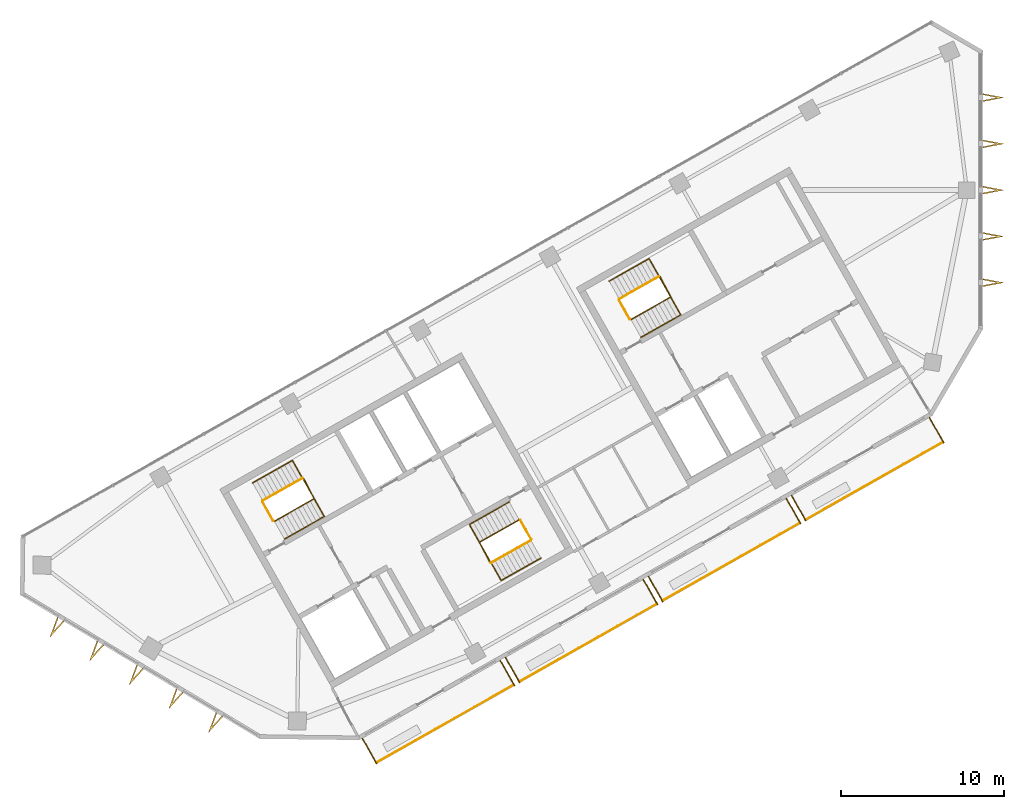
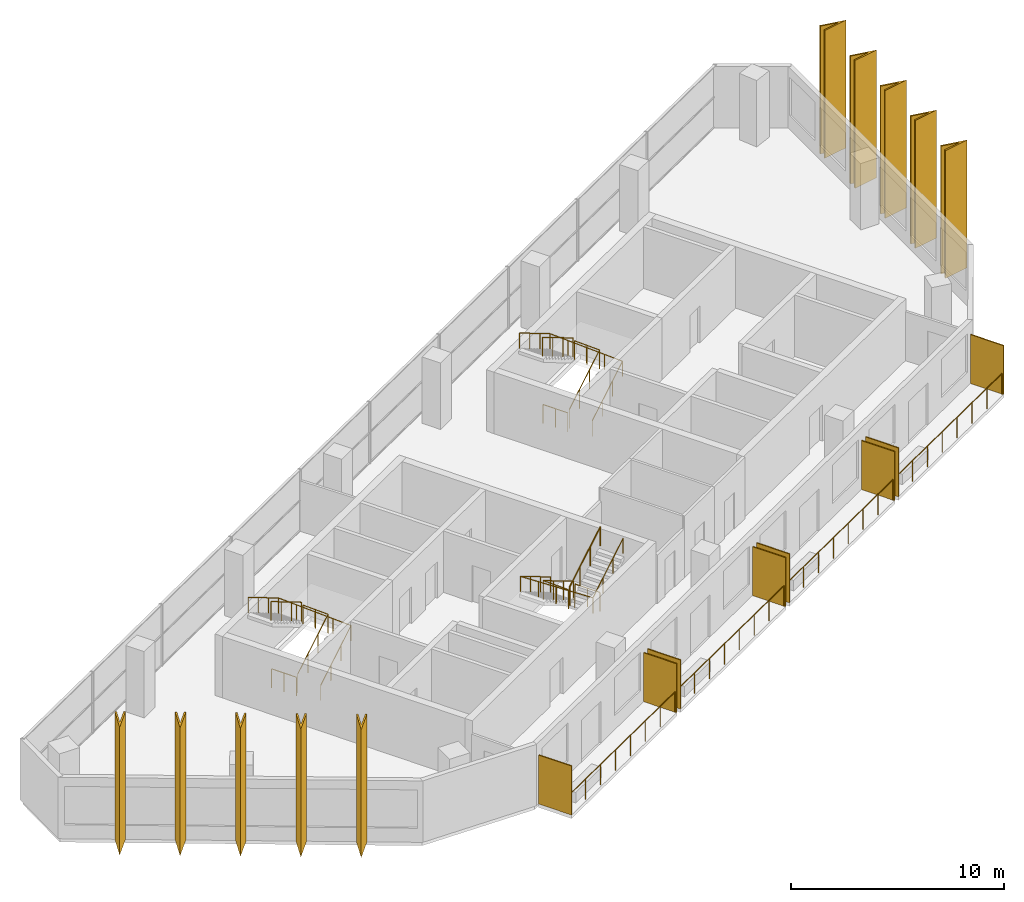
# One storey, part 9 of 10: 18 shading devices, 16 railings.
"""IFC4 building model written with IfcOpenShell, lengths in metres."""

from ifc_helpers import new_model, si_unit, direction, frame, origin, origin_2d, place, context, subcontext, project, spatial, polyline, rectangle, circle, outline, extrude, material, layer, layer_set, type_object, element, save


model = new_model("IFC4")

# Units and contexts
model_context = context("Model", 3, precision=1e-05, world=origin(), true_north=direction((0.0, 1.0)))
body_context = subcontext(model_context, "Body", "Model", "MODEL_VIEW")
ifc_project = project(units=[si_unit("LENGTHUNIT", "METRE"), si_unit("AREAUNIT", "SQUARE_METRE"), si_unit("VOLUMEUNIT", "CUBIC_METRE"), si_unit("PLANEANGLEUNIT", "RADIAN"), si_unit("MASSUNIT", "GRAM", prefix="KILO")], contexts=[model_context])

# Site, building, storey
site_placement = place(None, origin())
site = spatial("IfcSite", under=ifc_project, at=site_placement, CompositionType="ELEMENT")
building_placement = place(site_placement, origin())
building = spatial("IfcBuilding", under=site, at=building_placement, Name="Binnacle Exchange Tower", CompositionType="ELEMENT")
storey_placement = place(building_placement, frame((0.0, 0.0, 331.699951171875)))
storey = spatial("IfcBuildingStorey", under=building, at=storey_placement, Name="L75", CompositionType="ELEMENT", Elevation=331.699951171875)

# Railings
ifc_material_1 = material(Name="Bronze anodised aluminium frame", Category="aluminium")
railing_type_1 = type_object("IfcRailingType", Name="GUARD 1200", PredefinedType="GUARDRAIL", material=ifc_material_1)
for number, where, name in (
    (1, (-37.006591796875, 24.94287109375, 0.0), "Balcony guard H07-B00 L75"),
    (2, (-28.24365234375, 29.900634765625, 0.0), "Balcony guard H07-B01 L75"),
):
    element("IfcRailing", number, at=place(storey_placement, frame(where)), inside=storey, type_object=railing_type_1, Name=name, PredefinedType="GUARDRAIL", context=body_context, shape_type="SweptSolid", body=[
        extrude(circle(Radius=0.02392578125, at=origin_2d()), frame((0.0, 0.0, 1.17578125), z_axis=(0.870359171481, 0.492417417055, 0.0), x_axis=(-0.492417417055, 0.870359171481, 0.0)), (0.0, 0.0, 1.0), 9.648193359375),
        extrude(circle(Radius=0.02099609375, at=origin_2d()), origin(), (0.0, 0.0, 1.0), 1.15185546875),
        extrude(circle(Radius=0.02099609375, at=origin_2d()), frame((1.19970703125, 0.6787109375, 0.0)), (0.0, 0.0, 1.0), 1.15185546875),
        extrude(circle(Radius=0.02099609375, at=origin_2d()), frame((2.399169921875, 1.357421875, 0.0)), (0.0, 0.0, 1.0), 1.15185546875),
        extrude(circle(Radius=0.02099609375, at=origin_2d()), frame((3.598876953125, 2.0361328125, 0.0)), (0.0, 0.0, 1.0), 1.15185546875),
        extrude(circle(Radius=0.02099609375, at=origin_2d()), frame((4.798583984375, 2.71484375, 0.0)), (0.0, 0.0, 1.0), 1.15185546875),
        extrude(circle(Radius=0.02099609375, at=origin_2d()), frame((5.998291015625, 3.3935546875, 0.0)), (0.0, 0.0, 1.0), 1.15185546875),
        extrude(circle(Radius=0.02099609375, at=origin_2d()), frame((7.19775390625, 4.072265625, 0.0)), (0.0, 0.0, 1.0), 1.15185546875),
        extrude(circle(Radius=0.02099609375, at=origin_2d()), frame((8.3974609375, 4.7509765625, 0.0)), (0.0, 0.0, 1.0), 1.15185546875),
    ])
railing_1_placement = place(storey_placement, frame((-19.480712890625, 34.8583984375, 0.0)))
element("IfcRailing", 3, at=railing_1_placement, inside=storey, type_object=railing_type_1, Name="Balcony guard H07-B02 L75", PredefinedType="GUARDRAIL", context=body_context, shape_type="SweptSolid", body=[
    extrude(circle(Radius=0.02392578125, at=origin_2d()), frame((0.0, 0.0, 1.17578125), z_axis=(0.870342190373, 0.492447430349, 0.0), x_axis=(-0.492447430349, 0.870342190373, 0.0)), (0.0, 0.0, 1.0), 9.648193359375),
    extrude(circle(Radius=0.02099609375, at=origin_2d()), origin(), (0.0, 0.0, 1.0), 1.15185546875),
    extrude(circle(Radius=0.02099609375, at=origin_2d()), frame((1.19970703125, 0.6787109375, 0.0)), (0.0, 0.0, 1.0), 1.15185546875),
    extrude(circle(Radius=0.02099609375, at=origin_2d()), frame((2.399169921875, 1.357421875, 0.0)), (0.0, 0.0, 1.0), 1.15185546875),
    extrude(circle(Radius=0.02099609375, at=origin_2d()), frame((3.598876953125, 2.0361328125, 0.0)), (0.0, 0.0, 1.0), 1.15185546875),
    extrude(circle(Radius=0.02099609375, at=origin_2d()), frame((4.79833984375, 2.715087890625, 0.0)), (0.0, 0.0, 1.0), 1.15185546875),
    extrude(circle(Radius=0.02099609375, at=origin_2d()), frame((5.998046875, 3.393798828125, 0.0)), (0.0, 0.0, 1.0), 1.15185546875),
    extrude(circle(Radius=0.02099609375, at=origin_2d()), frame((7.197509765625, 4.072509765625, 0.0)), (0.0, 0.0, 1.0), 1.15185546875),
    extrude(circle(Radius=0.02099609375, at=origin_2d()), frame((8.397216796875, 4.751220703125, 0.0)), (0.0, 0.0, 1.0), 1.15185546875),
])
railing_2_placement = place(storey_placement, frame((-10.7177734375, 39.81640625, 0.0)))
element("IfcRailing", 4, at=railing_2_placement, inside=storey, type_object=railing_type_1, Name="Balcony guard H07-B03 L75", PredefinedType="GUARDRAIL", context=body_context, shape_type="SweptSolid", body=[
    extrude(circle(Radius=0.02392578125, at=origin_2d()), frame((0.0, 0.0, 1.17578125), z_axis=(0.870353035673, 0.492428262079, 0.0), x_axis=(-0.492428262079, 0.870353035673, 0.0)), (0.0, 0.0, 1.0), 9.64794921875),
    extrude(circle(Radius=0.02099609375, at=origin_2d()), origin(), (0.0, 0.0, 1.0), 1.15185546875),
    extrude(circle(Radius=0.02099609375, at=origin_2d()), frame((1.19970703125, 0.6787109375, 0.0)), (0.0, 0.0, 1.0), 1.15185546875),
    extrude(circle(Radius=0.02099609375, at=origin_2d()), frame((2.399169921875, 1.357421875, 0.0)), (0.0, 0.0, 1.0), 1.15185546875),
    extrude(circle(Radius=0.02099609375, at=origin_2d()), frame((3.598876953125, 2.0361328125, 0.0)), (0.0, 0.0, 1.0), 1.15185546875),
    extrude(circle(Radius=0.02099609375, at=origin_2d()), frame((4.79833984375, 2.71484375, 0.0)), (0.0, 0.0, 1.0), 1.15185546875),
    extrude(circle(Radius=0.02099609375, at=origin_2d()), frame((5.998046875, 3.3935546875, 0.0)), (0.0, 0.0, 1.0), 1.15185546875),
    extrude(circle(Radius=0.02099609375, at=origin_2d()), frame((7.197509765625, 4.072265625, 0.0)), (0.0, 0.0, 1.0), 1.15185546875),
    extrude(circle(Radius=0.02099609375, at=origin_2d()), frame((8.397216796875, 4.7509765625, 0.0)), (0.0, 0.0, 1.0), 1.15185546875),
])

# Shading devices
ifc_material_2 = material(Name="Bronze aluminium louvre", Category="aluminium")
ifc_layer = layer(ifc_material_2, 0.06005859375)
ifc_layer_set = layer_set([ifc_layer], Name="PLANTED SCREEN 60x2800")
shading_device_type_1 = type_object("IfcShadingDeviceType", Name="PLANTED SCREEN 60x2800", PredefinedType="USERDEFINED", material=ifc_layer_set)
for number, where, z_axis, x_axis, name in (
    (5, (-37.436279296875, 25.641845703125, 0.0), (0.0, 0.0, 1.0), (0.87035569594, 0.492423560103, 0.0), "Planted screen H07-B00a L75"),
    (6, (-28.98681640625, 30.42236328125, 0.0), (0.0, 0.0, 1.0), (0.87035569594, 0.492423560103, 0.0), "Planted screen H07-B00b L75"),
    (7, (-28.673583984375, 30.599609375, 0.0), (0.0, 0.0, 1.0), (0.87035569594, 0.492423560103, 0.0), "Planted screen H07-B01a L75"),
    (8, (-20.223876953125, 35.380126953125, 0.0), (0.0, 0.0, 1.0), (0.87035569594, 0.492423560103, 0.0), "Planted screen H07-B01b L75"),
    (9, (-19.91064453125, 35.5576171875, 0.0), (0.0, 0.0, 1.0), (0.87035569594, 0.492423560103, 0.0), "Planted screen H07-B02a L75"),
    (10, (-11.461181640625, 40.337890625, 0.0), (0.0, 0.0, 1.0), (0.87035569594, 0.492423560103, 0.0), "Planted screen H07-B02b L75"),
    (11, (-11.147705078125, 40.51513671875, 0.0), (0.0, 0.0, 1.0), (0.87035569594, 0.492423560103, 0.0), "Planted screen H07-B03a L75"),
    (12, (-2.697998046875, 45.2958984375, 0.0), (0.0, 0.0, 1.0), (0.87035569594, 0.492423560103, 0.0), "Planted screen H07-B03b L75"),
):
    element("IfcShadingDevice", number, at=place(storey_placement, frame(where, z_axis=z_axis, x_axis=x_axis)), inside=storey, type_object=shading_device_type_1, Name=name, ObjectType="SCREEN", PredefinedType="USERDEFINED", context=body_context, shape_type="SweptSolid", body=[
        extrude(rectangle(XDim=0.06005859375, YDim=1.800048828125, at=origin_2d()), origin(), (0.0, 0.0, 1.0), 2.800048828125),
    ])

# Railings
ifc_material_3 = material(Name="Steel guard rail", Category="steel")
railing_type_2 = type_object("IfcRailingType", Name="STAIR GUARD 1100", PredefinedType="GUARDRAIL", material=ifc_material_3)
railing_3_placement = place(storey_placement, frame((-43.26171875, 39.71728515625, 0.1728515625)))
element("IfcRailing", 13, at=railing_3_placement, inside=storey, type_object=railing_type_2, Name="L75 STA1 stair guard 1", PredefinedType="GUARDRAIL", context=body_context, shape_type="SweptSolid", body=[
    extrude(circle(Radius=0.02392578125, at=origin_2d()), frame((0.0, 0.0, 1.076171875), z_axis=(0.740737961854, 0.419123222656, 0.525017138862), x_axis=(-0.492453686477, 0.870338650569, 0.0)), (0.0, 0.0, 1.0), 3.2900390625),
    extrude(circle(Radius=0.02392578125, at=origin_2d()), frame((2.43701171875, 1.37890625, 2.80322265625), z_axis=(-0.461100321709, 0.887348011391, 0.0), x_axis=(-0.887348011391, -0.461100321709, 0.0)), (0.0, 0.0, 1.0), 1.40087890625),
    extrude(circle(Radius=0.02099609375, at=origin_2d()), origin(), (0.0, 0.0, 1.0), 1.052001953125),
    extrude(circle(Radius=0.02099609375, at=origin_2d()), frame((0.812255859375, 0.459716796875, 0.57568359375)), (0.0, 0.0, 1.0), 1.052001953125),
    extrude(circle(Radius=0.02099609375, at=origin_2d()), frame((1.624755859375, 0.919189453125, 1.151611328125)), (0.0, 0.0, 1.0), 1.052001953125),
    extrude(circle(Radius=0.02099609375, at=origin_2d()), frame((2.43701171875, 1.37890625, 1.727294921875)), (0.0, 0.0, 1.0), 1.052001953125),
    extrude(circle(Radius=0.02099609375, at=origin_2d()), frame((2.114013671875, 2.00048828125, 1.727294921875)), (0.0, 0.0, 1.0), 1.052001953125),
    extrude(circle(Radius=0.02099609375, at=origin_2d()), frame((1.791015625, 2.6220703125, 1.727294921875)), (0.0, 0.0, 1.0), 1.052001953125),
])
railing_4_placement = place(storey_placement, frame((-41.538818359375, 42.358154296875, 2.07275390625)))
element("IfcRailing", 14, at=railing_4_placement, inside=storey, type_object=railing_type_2, Name="L75 STA1 stair guard 2", PredefinedType="GUARDRAIL", context=body_context, shape_type="SweptSolid", body=[
    extrude(circle(Radius=0.02392578125, at=origin_2d()), frame((0.0, 0.0, 1.076171875), z_axis=(-0.740737961854, -0.419123222656, 0.525017138862), x_axis=(0.492453686477, -0.870338650569, 0.0)), (0.0, 0.0, 1.0), 3.2900390625),
    extrude(circle(Radius=0.02099609375, at=origin_2d()), origin(), (0.0, 0.0, 1.0), 1.052001953125),
    extrude(circle(Radius=0.02099609375, at=origin_2d()), frame((-0.812255859375, -0.459716796875, 0.57568359375)), (0.0, 0.0, 1.0), 1.052001953125),
    extrude(circle(Radius=0.02099609375, at=origin_2d()), frame((-1.624755859375, -0.919189453125, 1.151611328125)), (0.0, 0.0, 1.0), 1.052001953125),
    extrude(circle(Radius=0.02099609375, at=origin_2d()), frame((-2.43701171875, -1.37890625, 1.727294921875)), (0.0, 0.0, 1.0), 1.052001953125),
])
railing_5_placement = place(storey_placement, frame((-43.329833984375, 39.736328125, 0.0)))
element("IfcRailing", 15, at=railing_5_placement, inside=storey, type_object=railing_type_2, Name="L75 STA1 stair guard 3", PredefinedType="GUARDRAIL", context=body_context, shape_type="SweptSolid", body=[
    extrude(circle(Radius=0.02392578125, at=origin_2d()), frame((0.0, 0.0, 1.076171875), z_axis=(-0.4924922531, 0.870316827734, 0.0), x_axis=(-0.870316827734, -0.4924922531, 0.0)), (0.0, 0.0, 1.0), 1.349853515625),
    extrude(circle(Radius=0.02099609375, at=origin_2d()), origin(), (0.0, 0.0, 1.0), 1.052001953125),
    extrude(circle(Radius=0.02099609375, at=origin_2d()), frame((-0.33251953125, 0.58740234375, 0.0)), (0.0, 0.0, 1.0), 1.052001953125),
    extrude(circle(Radius=0.02099609375, at=origin_2d()), frame((-0.664794921875, 1.1748046875, 0.0)), (0.0, 0.0, 1.0), 1.052001953125),
])
railing_6_placement = place(storey_placement, frame((-28.265380859375, 39.814453125, 0.1728515625)))
element("IfcRailing", 16, at=railing_6_placement, inside=storey, type_object=railing_type_2, Name="L75 STA2 stair guard 1", PredefinedType="GUARDRAIL", context=body_context, shape_type="SweptSolid", body=[
    extrude(circle(Radius=0.02392578125, at=origin_2d()), frame((0.0, 0.0, 1.076171875), z_axis=(-0.740760999345, -0.419062048017, 0.525033467278), x_axis=(0.492387636113, -0.870376019777, 0.0)), (0.0, 0.0, 1.0), 3.289794921875),
    extrude(circle(Radius=0.02392578125, at=origin_2d()), frame((-2.43701171875, -1.378662109375, 2.80322265625), z_axis=(0.460963092712, -0.887419307406, 0.0), x_axis=(0.887419307406, 0.460963092712, 0.0)), (0.0, 0.0, 1.0), 1.40087890625),
    extrude(circle(Radius=0.02099609375, at=origin_2d()), origin(), (0.0, 0.0, 1.0), 1.052001953125),
    extrude(circle(Radius=0.02099609375, at=origin_2d()), frame((-0.812255859375, -0.45947265625, 0.57568359375)), (0.0, 0.0, 1.0), 1.052001953125),
    extrude(circle(Radius=0.02099609375, at=origin_2d()), frame((-1.624755859375, -0.919189453125, 1.151611328125)), (0.0, 0.0, 1.0), 1.052001953125),
    extrude(circle(Radius=0.02099609375, at=origin_2d()), frame((-2.43701171875, -1.378662109375, 1.727294921875)), (0.0, 0.0, 1.0), 1.052001953125),
    extrude(circle(Radius=0.02099609375, at=origin_2d()), frame((-2.1142578125, -2.000244140625, 1.727294921875)), (0.0, 0.0, 1.0), 1.052001953125),
    extrude(circle(Radius=0.02099609375, at=origin_2d()), frame((-1.791259765625, -2.621826171875, 1.727294921875)), (0.0, 0.0, 1.0), 1.052001953125),
])
railing_7_placement = place(storey_placement, frame((-29.988525390625, 37.173583984375, 2.07275390625)))
element("IfcRailing", 17, at=railing_7_placement, inside=storey, type_object=railing_type_2, Name="L75 STA2 stair guard 2", PredefinedType="GUARDRAIL", context=body_context, shape_type="SweptSolid", body=[
    extrude(circle(Radius=0.02392578125, at=origin_2d()), frame((0.0, 0.0, 1.076171875), z_axis=(0.740737961854, 0.419123222656, 0.525017138862), x_axis=(-0.492453686477, 0.870338650569, 0.0)), (0.0, 0.0, 1.0), 3.2900390625),
    extrude(circle(Radius=0.02099609375, at=origin_2d()), origin(), (0.0, 0.0, 1.0), 1.052001953125),
    extrude(circle(Radius=0.02099609375, at=origin_2d()), frame((0.812255859375, 0.459716796875, 0.57568359375)), (0.0, 0.0, 1.0), 1.052001953125),
    extrude(circle(Radius=0.02099609375, at=origin_2d()), frame((1.624755859375, 0.919189453125, 1.151611328125)), (0.0, 0.0, 1.0), 1.052001953125),
    extrude(circle(Radius=0.02099609375, at=origin_2d()), frame((2.43701171875, 1.37890625, 1.727294921875)), (0.0, 0.0, 1.0), 1.052001953125),
])
railing_8_placement = place(storey_placement, frame((-28.197265625, 39.795654296875, 0.0)))
element("IfcRailing", 18, at=railing_8_placement, inside=storey, type_object=railing_type_2, Name="L75 STA2 stair guard 3", PredefinedType="GUARDRAIL", context=body_context, shape_type="SweptSolid", body=[
    extrude(circle(Radius=0.02392578125, at=origin_2d()), frame((0.0, 0.0, 1.076171875), z_axis=(0.49241474071, -0.870360685654, 0.0), x_axis=(0.870360685654, 0.49241474071, 0.0)), (0.0, 0.0, 1.0), 1.35009765625),
    extrude(circle(Radius=0.02099609375, at=origin_2d()), origin(), (0.0, 0.0, 1.0), 1.052001953125),
    extrude(circle(Radius=0.02099609375, at=origin_2d()), frame((0.33251953125, -0.58740234375, 0.0)), (0.0, 0.0, 1.0), 1.052001953125),
    extrude(circle(Radius=0.02099609375, at=origin_2d()), frame((0.664794921875, -1.175048828125, 0.0)), (0.0, 0.0, 1.0), 1.052001953125),
])
railing_9_placement = place(storey_placement, frame((-21.423828125, 52.07275390625, 0.1728515625)))
element("IfcRailing", 19, at=railing_9_placement, inside=storey, type_object=railing_type_2, Name="L75 STC1 stair guard 1", PredefinedType="GUARDRAIL", context=body_context, shape_type="SweptSolid", body=[
    extrude(circle(Radius=0.02392578125, at=origin_2d()), frame((0.0, 0.0, 1.076171875), z_axis=(0.740760999345, 0.419062048017, 0.525033467278), x_axis=(-0.492387636113, 0.870376019777, 0.0)), (0.0, 0.0, 1.0), 3.289794921875),
    extrude(circle(Radius=0.02392578125, at=origin_2d()), frame((2.43701171875, 1.378662109375, 2.80322265625), z_axis=(-0.460963092712, 0.887419307406, 0.0), x_axis=(-0.887419307406, -0.460963092712, 0.0)), (0.0, 0.0, 1.0), 1.40087890625),
    extrude(circle(Radius=0.02099609375, at=origin_2d()), origin(), (0.0, 0.0, 1.0), 1.052001953125),
    extrude(circle(Radius=0.02099609375, at=origin_2d()), frame((0.812255859375, 0.45947265625, 0.57568359375)), (0.0, 0.0, 1.0), 1.052001953125),
    extrude(circle(Radius=0.02099609375, at=origin_2d()), frame((1.624755859375, 0.919189453125, 1.151611328125)), (0.0, 0.0, 1.0), 1.052001953125),
    extrude(circle(Radius=0.02099609375, at=origin_2d()), frame((2.43701171875, 1.378662109375, 1.727294921875)), (0.0, 0.0, 1.0), 1.052001953125),
    extrude(circle(Radius=0.02099609375, at=origin_2d()), frame((2.1142578125, 2.000244140625, 1.727294921875)), (0.0, 0.0, 1.0), 1.052001953125),
    extrude(circle(Radius=0.02099609375, at=origin_2d()), frame((1.791259765625, 2.621826171875, 1.727294921875)), (0.0, 0.0, 1.0), 1.052001953125),
])
railing_10_placement = place(storey_placement, frame((-19.70068359375, 54.71337890625, 2.07275390625)))
element("IfcRailing", 20, at=railing_10_placement, inside=storey, type_object=railing_type_2, Name="L75 STC1 stair guard 2", PredefinedType="GUARDRAIL", context=body_context, shape_type="SweptSolid", body=[
    extrude(circle(Radius=0.02392578125, at=origin_2d()), frame((0.0, 0.0, 1.076171875), z_axis=(-0.740760999345, -0.419062048017, 0.525033467278), x_axis=(0.492387636113, -0.870376019777, 0.0)), (0.0, 0.0, 1.0), 3.289794921875),
    extrude(circle(Radius=0.02099609375, at=origin_2d()), origin(), (0.0, 0.0, 1.0), 1.052001953125),
    extrude(circle(Radius=0.02099609375, at=origin_2d()), frame((-0.812255859375, -0.45947265625, 0.57568359375)), (0.0, 0.0, 1.0), 1.052001953125),
    extrude(circle(Radius=0.02099609375, at=origin_2d()), frame((-1.624755859375, -0.919189453125, 1.151611328125)), (0.0, 0.0, 1.0), 1.052001953125),
    extrude(circle(Radius=0.02099609375, at=origin_2d()), frame((-2.43701171875, -1.378662109375, 1.727294921875)), (0.0, 0.0, 1.0), 1.052001953125),
])
railing_11_placement = place(storey_placement, frame((-21.491943359375, 52.091552734375, 0.0)))
element("IfcRailing", 21, at=railing_11_placement, inside=storey, type_object=railing_type_2, Name="L75 STC1 stair guard 3", PredefinedType="GUARDRAIL", context=body_context, shape_type="SweptSolid", body=[
    extrude(circle(Radius=0.02392578125, at=origin_2d()), frame((0.0, 0.0, 1.076171875), z_axis=(-0.49241474071, 0.870360685654, 0.0), x_axis=(-0.870360685654, -0.49241474071, 0.0)), (0.0, 0.0, 1.0), 1.35009765625),
    extrude(circle(Radius=0.02099609375, at=origin_2d()), origin(), (0.0, 0.0, 1.0), 1.052001953125),
    extrude(circle(Radius=0.02099609375, at=origin_2d()), frame((-0.33251953125, 0.58740234375, 0.0)), (0.0, 0.0, 1.0), 1.052001953125),
    extrude(circle(Radius=0.02099609375, at=origin_2d()), frame((-0.664794921875, 1.175048828125, 0.0)), (0.0, 0.0, 1.0), 1.052001953125),
])
ifc_material_4 = material(Name="Steel handrail", Category="steel")
railing_type_3 = type_object("IfcRailingType", Name="STAIR HANDRAIL 900", PredefinedType="HANDRAIL", material=ifc_material_4)
railing_12_placement = place(storey_placement, frame((-42.646240234375, 38.62939453125, 0.1728515625)))
element("IfcRailing", 22, at=railing_12_placement, inside=storey, type_object=railing_type_3, Name="L75 STA1 stair handrail 1", PredefinedType="HANDRAIL", context=body_context, shape_type="SweptSolid", body=[
    extrude(circle(Radius=0.02392578125, at=origin_2d()), frame((0.0, 0.0, 0.8759765625), z_axis=(0.740760999345, 0.419062048017, 0.525033467278), x_axis=(-0.492387636113, 0.870376019777, 0.0)), (0.0, 0.0, 1.0), 3.289794921875),
    extrude(circle(Radius=0.02392578125, at=origin_2d()), frame((2.43701171875, 1.378662109375, 2.60302734375), z_axis=(-0.491944173491, 0.869531549026, 0.043655645871), x_axis=(-0.870361318571, -0.492413622004, 0.0)), (0.0, 0.0, 1.0), 3.953857421875),
    extrude(circle(Radius=0.02392578125, at=origin_2d()), frame((0.491943359375, 4.816650390625, 2.77587890625), z_axis=(-0.740760999345, -0.419062048017, 0.525033467278), x_axis=(0.492387636113, -0.870376019777, 0.0)), (0.0, 0.0, 1.0), 3.289794921875),
    extrude(circle(Radius=0.02099609375, at=origin_2d()), origin(), (0.0, 0.0, 1.0), 0.851806640625),
    extrude(circle(Radius=0.02099609375, at=origin_2d()), frame((0.812255859375, 0.45947265625, 0.57568359375)), (0.0, 0.0, 1.0), 0.851806640625),
    extrude(circle(Radius=0.02099609375, at=origin_2d()), frame((1.624755859375, 0.919189453125, 1.151611328125)), (0.0, 0.0, 1.0), 0.851806640625),
    extrude(circle(Radius=0.02099609375, at=origin_2d()), frame((2.43701171875, 1.378662109375, 1.727294921875)), (0.0, 0.0, 1.0), 0.851806640625),
    extrude(circle(Radius=0.02099609375, at=origin_2d()), frame((1.95068359375, 2.23828125, 1.7705078125)), (0.0, 0.0, 1.0), 0.851806640625),
    extrude(circle(Radius=0.02099609375, at=origin_2d()), frame((1.46435546875, 3.09765625, 1.8134765625)), (0.0, 0.0, 1.0), 0.851806640625),
    extrude(circle(Radius=0.02099609375, at=origin_2d()), frame((0.978271484375, 3.95703125, 1.856689453125)), (0.0, 0.0, 1.0), 0.851806640625),
    extrude(circle(Radius=0.02099609375, at=origin_2d()), frame((0.491943359375, 4.816650390625, 1.89990234375)), (0.0, 0.0, 1.0), 0.851806640625),
    extrude(circle(Radius=0.02099609375, at=origin_2d()), frame((-0.3203125, 4.357177734375, 2.4755859375)), (0.0, 0.0, 1.0), 0.851806640625),
    extrude(circle(Radius=0.02099609375, at=origin_2d()), frame((-1.1328125, 3.8974609375, 3.051513671875)), (0.0, 0.0, 1.0), 0.851806640625),
    extrude(circle(Radius=0.02099609375, at=origin_2d()), frame((-1.945068359375, 3.43798828125, 3.627197265625)), (0.0, 0.0, 1.0), 0.851806640625),
])
railing_13_placement = place(storey_placement, frame((-28.880859375, 40.90234375, 0.1728515625)))
element("IfcRailing", 23, at=railing_13_placement, inside=storey, type_object=railing_type_3, Name="L75 STA2 stair handrail 1", PredefinedType="HANDRAIL", context=body_context, shape_type="SweptSolid", body=[
    extrude(circle(Radius=0.02392578125, at=origin_2d()), frame((0.0, 0.0, 0.8759765625), z_axis=(-0.740760999345, -0.419062048017, 0.525033467278), x_axis=(0.492387636113, -0.870376019777, 0.0)), (0.0, 0.0, 1.0), 3.289794921875),
    extrude(circle(Radius=0.02392578125, at=origin_2d()), frame((-2.43701171875, -1.378662109375, 2.60302734375), z_axis=(0.491944173491, -0.869531549026, 0.043655645871), x_axis=(0.870361318571, 0.492413622004, 0.0)), (0.0, 0.0, 1.0), 3.953857421875),
    extrude(circle(Radius=0.02392578125, at=origin_2d()), frame((-0.491943359375, -4.816650390625, 2.77587890625), z_axis=(0.740737961854, 0.419123222656, 0.525017138862), x_axis=(-0.492453686477, 0.870338650569, 0.0)), (0.0, 0.0, 1.0), 3.2900390625),
    extrude(circle(Radius=0.02099609375, at=origin_2d()), origin(), (0.0, 0.0, 1.0), 0.851806640625),
    extrude(circle(Radius=0.02099609375, at=origin_2d()), frame((-0.812255859375, -0.45947265625, 0.57568359375)), (0.0, 0.0, 1.0), 0.851806640625),
    extrude(circle(Radius=0.02099609375, at=origin_2d()), frame((-1.624755859375, -0.919189453125, 1.151611328125)), (0.0, 0.0, 1.0), 0.851806640625),
    extrude(circle(Radius=0.02099609375, at=origin_2d()), frame((-2.43701171875, -1.378662109375, 1.727294921875)), (0.0, 0.0, 1.0), 0.851806640625),
    extrude(circle(Radius=0.02099609375, at=origin_2d()), frame((-1.95068359375, -2.23828125, 1.7705078125)), (0.0, 0.0, 1.0), 0.851806640625),
    extrude(circle(Radius=0.02099609375, at=origin_2d()), frame((-1.46435546875, -3.09765625, 1.8134765625)), (0.0, 0.0, 1.0), 0.851806640625),
    extrude(circle(Radius=0.02099609375, at=origin_2d()), frame((-0.978271484375, -3.95703125, 1.856689453125)), (0.0, 0.0, 1.0), 0.851806640625),
    extrude(circle(Radius=0.02099609375, at=origin_2d()), frame((-0.491943359375, -4.816650390625, 1.89990234375)), (0.0, 0.0, 1.0), 0.851806640625),
    extrude(circle(Radius=0.02099609375, at=origin_2d()), frame((0.3203125, -4.35693359375, 2.4755859375)), (0.0, 0.0, 1.0), 0.851806640625),
    extrude(circle(Radius=0.02099609375, at=origin_2d()), frame((1.1328125, -3.8974609375, 3.051513671875)), (0.0, 0.0, 1.0), 0.851806640625),
    extrude(circle(Radius=0.02099609375, at=origin_2d()), frame((1.945068359375, -3.437744140625, 3.627197265625)), (0.0, 0.0, 1.0), 0.851806640625),
])
railing_14_placement = place(storey_placement, frame((-20.808349609375, 50.984619140625, 0.1728515625)))
element("IfcRailing", 24, at=railing_14_placement, inside=storey, type_object=railing_type_3, Name="L75 STC1 stair handrail 1", PredefinedType="HANDRAIL", context=body_context, shape_type="SweptSolid", body=[
    extrude(circle(Radius=0.02392578125, at=origin_2d()), frame((0.0, 0.0, 0.8759765625), z_axis=(0.740737961854, 0.419123222656, 0.525017138862), x_axis=(-0.492453686477, 0.870338650569, 0.0)), (0.0, 0.0, 1.0), 3.2900390625),
    extrude(circle(Radius=0.02392578125, at=origin_2d()), frame((2.43701171875, 1.37890625, 2.60302734375), z_axis=(-0.49197058795, 0.869516486623, 0.043657989918), x_axis=(-0.87034633103, -0.492440112159, 0.0)), (0.0, 0.0, 1.0), 3.95361328125),
    extrude(circle(Radius=0.02392578125, at=origin_2d()), frame((0.491943359375, 4.816650390625, 2.77587890625), z_axis=(-0.740760999345, -0.419062048017, 0.525033467278), x_axis=(0.492387636113, -0.870376019777, 0.0)), (0.0, 0.0, 1.0), 3.289794921875),
    extrude(circle(Radius=0.02099609375, at=origin_2d()), origin(), (0.0, 0.0, 1.0), 0.851806640625),
    extrude(circle(Radius=0.02099609375, at=origin_2d()), frame((0.812255859375, 0.459716796875, 0.57568359375)), (0.0, 0.0, 1.0), 0.851806640625),
    extrude(circle(Radius=0.02099609375, at=origin_2d()), frame((1.624755859375, 0.919189453125, 1.151611328125)), (0.0, 0.0, 1.0), 0.851806640625),
    extrude(circle(Radius=0.02099609375, at=origin_2d()), frame((2.43701171875, 1.37890625, 1.727294921875)), (0.0, 0.0, 1.0), 0.851806640625),
    extrude(circle(Radius=0.02099609375, at=origin_2d()), frame((1.95068359375, 2.23828125, 1.7705078125)), (0.0, 0.0, 1.0), 0.851806640625),
    extrude(circle(Radius=0.02099609375, at=origin_2d()), frame((1.46435546875, 3.09765625, 1.8134765625)), (0.0, 0.0, 1.0), 0.851806640625),
    extrude(circle(Radius=0.02099609375, at=origin_2d()), frame((0.978271484375, 3.957275390625, 1.856689453125)), (0.0, 0.0, 1.0), 0.851806640625),
    extrude(circle(Radius=0.02099609375, at=origin_2d()), frame((0.491943359375, 4.816650390625, 1.89990234375)), (0.0, 0.0, 1.0), 0.851806640625),
    extrude(circle(Radius=0.02099609375, at=origin_2d()), frame((-0.3203125, 4.357177734375, 2.4755859375)), (0.0, 0.0, 1.0), 0.851806640625),
    extrude(circle(Radius=0.02099609375, at=origin_2d()), frame((-1.1328125, 3.8974609375, 3.051513671875)), (0.0, 0.0, 1.0), 0.851806640625),
    extrude(circle(Radius=0.02099609375, at=origin_2d()), frame((-1.945068359375, 3.43798828125, 3.627197265625)), (0.0, 0.0, 1.0), 0.851806640625),
])

# Shading devices
ifc_material_5 = material(Name="Bronze aluminium cladding", Category="aluminium")
shading_device_type_2 = type_object("IfcShadingDeviceType", Name="V FIN 1300 DEEP x 7320 HIGH", PredefinedType="USERDEFINED", material=ifc_material_5)
shading_device_1_placement = place(storey_placement, origin())
element("IfcShadingDevice", 25, at=shading_device_1_placement, inside=storey, type_object=shading_device_type_2, Name="V fin FN-H01-01 L75", ObjectType="FIN", PredefinedType="USERDEFINED", context=body_context, shape_type="SweptSolid", body=[
    extrude(outline(polyline([(0.125, 54.083251953125), (1.425048828125, 54.333251953125), (0.125, 54.583251953125), (0.125, 54.501708984375), (1.00146484375, 54.333251953125), (0.125, 54.164794921875), (0.125, 54.083251953125)])), origin(), (0.0, 0.0, 1.0), 7.320068359375),
])
shading_device_2_placement = place(storey_placement, origin())
element("IfcShadingDevice", 26, at=shading_device_2_placement, inside=storey, type_object=shading_device_type_2, Name="V fin FN-H01-02 L75", ObjectType="FIN", PredefinedType="USERDEFINED", context=body_context, shape_type="SweptSolid", body=[
    extrude(outline(polyline([(0.125, 56.916748046875), (1.425048828125, 57.166748046875), (0.125, 57.416748046875), (0.125, 57.335205078125), (1.00146484375, 57.166748046875), (0.125, 56.998291015625), (0.125, 56.916748046875)])), origin(), (0.0, 0.0, 1.0), 7.320068359375),
])
shading_device_3_placement = place(storey_placement, origin())
element("IfcShadingDevice", 27, at=shading_device_3_placement, inside=storey, type_object=shading_device_type_2, Name="V fin FN-H01-03 L75", ObjectType="FIN", PredefinedType="USERDEFINED", context=body_context, shape_type="SweptSolid", body=[
    extrude(outline(polyline([(0.125, 59.75), (1.425048828125, 60.0), (0.125, 60.25), (0.125, 60.16845703125), (1.00146484375, 60.0), (0.125, 59.83154296875), (0.125, 59.75)])), origin(), (0.0, 0.0, 1.0), 7.320068359375),
])
shading_device_4_placement = place(storey_placement, origin())
element("IfcShadingDevice", 28, at=shading_device_4_placement, inside=storey, type_object=shading_device_type_2, Name="V fin FN-H01-04 L75", ObjectType="FIN", PredefinedType="USERDEFINED", context=body_context, shape_type="SweptSolid", body=[
    extrude(outline(polyline([(0.125, 62.583251953125), (1.425048828125, 62.833251953125), (0.125, 63.083251953125), (0.125, 63.001708984375), (1.00146484375, 62.833251953125), (0.125, 62.664794921875), (0.125, 62.583251953125)])), origin(), (0.0, 0.0, 1.0), 7.320068359375),
])
shading_device_5_placement = place(storey_placement, origin())
element("IfcShadingDevice", 29, at=shading_device_5_placement, inside=storey, type_object=shading_device_type_2, Name="V fin FN-H01-05 L75", ObjectType="FIN", PredefinedType="USERDEFINED", context=body_context, shape_type="SweptSolid", body=[
    extrude(outline(polyline([(0.125, 65.416748046875), (1.425048828125, 65.666748046875), (0.125, 65.916748046875), (0.125, 65.835205078125), (1.00146484375, 65.666748046875), (0.125, 65.498291015625), (0.125, 65.416748046875)])), origin(), (0.0, 0.0, 1.0), 7.320068359375),
])
shading_device_6_placement = place(storey_placement, origin())
element("IfcShadingDevice", 30, at=shading_device_6_placement, inside=storey, type_object=shading_device_type_2, Name="V fin FN-H05-01 L75", ObjectType="FIN", PredefinedType="USERDEFINED", context=body_context, shape_type="SweptSolid", body=[
    extrude(outline(polyline([(-56.566162109375, 33.842529296875), (-57.021240234375, 32.599365234375), (-56.137451171875, 33.5849609375), (-56.207275390625, 33.626953125), (-56.80322265625, 32.96240234375), (-56.496337890625, 33.800537109375), (-56.566162109375, 33.842529296875)])), origin(), (0.0, 0.0, 1.0), 7.320068359375),
])
shading_device_7_placement = place(storey_placement, origin())
element("IfcShadingDevice", 31, at=shading_device_7_placement, inside=storey, type_object=shading_device_type_2, Name="V fin FN-H05-02 L75", ObjectType="FIN", PredefinedType="USERDEFINED", context=body_context, shape_type="SweptSolid", body=[
    extrude(outline(polyline([(-54.137451171875, 32.38330078125), (-54.592529296875, 31.14013671875), (-53.708740234375, 32.12548828125), (-53.778564453125, 32.16748046875), (-54.37451171875, 31.503173828125), (-54.067626953125, 32.34130859375), (-54.137451171875, 32.38330078125)])), origin(), (0.0, 0.0, 1.0), 7.320068359375),
])
shading_device_8_placement = place(storey_placement, origin())
element("IfcShadingDevice", 32, at=shading_device_8_placement, inside=storey, type_object=shading_device_type_2, Name="V fin FN-H05-03 L75", ObjectType="FIN", PredefinedType="USERDEFINED", context=body_context, shape_type="SweptSolid", body=[
    extrude(outline(polyline([(-51.708740234375, 30.923828125), (-52.1640625, 29.680908203125), (-51.2802734375, 30.666259765625), (-51.35009765625, 30.708251953125), (-51.94580078125, 30.0439453125), (-51.638916015625, 30.8818359375), (-51.708740234375, 30.923828125)])), origin(), (0.0, 0.0, 1.0), 7.320068359375),
])
shading_device_9_placement = place(storey_placement, origin())
element("IfcShadingDevice", 33, at=shading_device_9_placement, inside=storey, type_object=shading_device_type_2, Name="V fin FN-H05-04 L75", ObjectType="FIN", PredefinedType="USERDEFINED", context=body_context, shape_type="SweptSolid", body=[
    extrude(outline(polyline([(-49.280029296875, 29.464599609375), (-49.7353515625, 28.2216796875), (-48.8515625, 29.20703125), (-48.92138671875, 29.2490234375), (-49.51708984375, 28.584716796875), (-49.210205078125, 29.422607421875), (-49.280029296875, 29.464599609375)])), origin(), (0.0, 0.0, 1.0), 7.320068359375),
])
shading_device_10_placement = place(storey_placement, origin())
element("IfcShadingDevice", 34, at=shading_device_10_placement, inside=storey, type_object=shading_device_type_2, Name="V fin FN-H05-05 L75", ObjectType="FIN", PredefinedType="USERDEFINED", context=body_context, shape_type="SweptSolid", body=[
    extrude(outline(polyline([(-46.8515625, 28.00537109375), (-47.306640625, 26.76220703125), (-46.4228515625, 27.747802734375), (-46.49267578125, 27.789794921875), (-47.088623046875, 27.12548828125), (-46.78173828125, 27.96337890625), (-46.8515625, 28.00537109375)])), origin(), (0.0, 0.0, 1.0), 7.320068359375),
])

save(model, "model.ifc")
